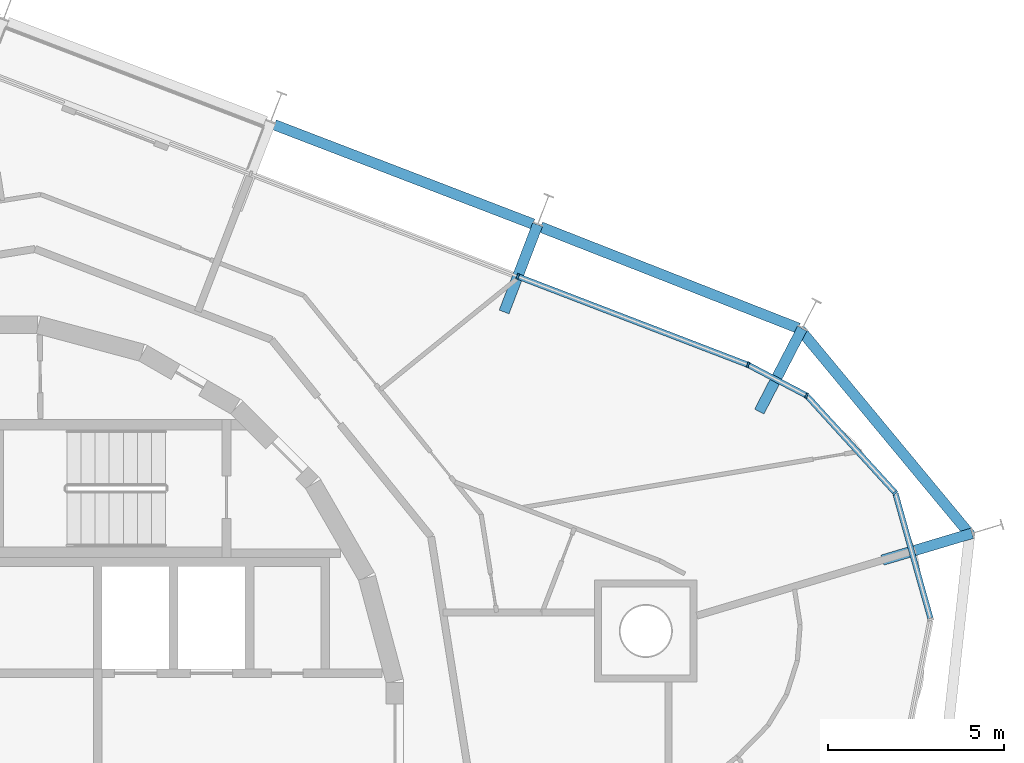
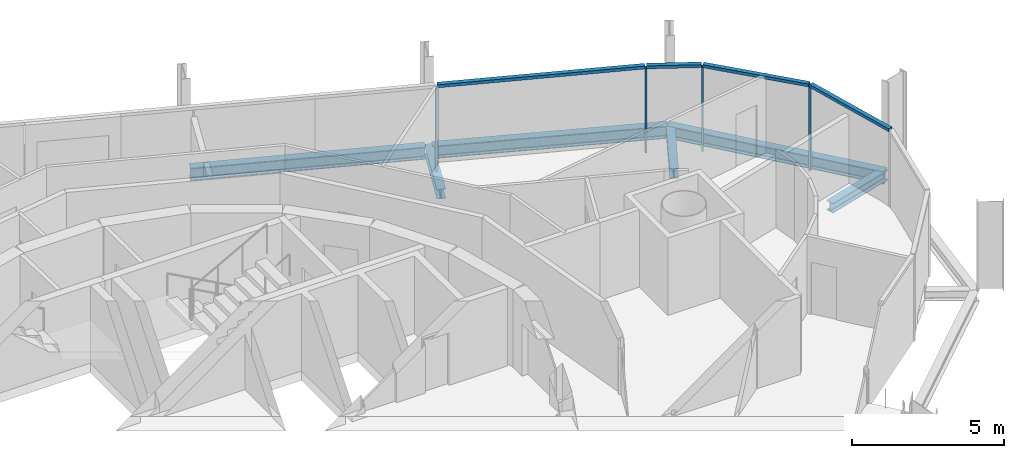
# One storey, part 9 of 17: 8 members, 6 beams, 2 elements without a shape of their own.
"""IFC4 building model written with IfcOpenShell, lengths in metres."""

from ifc_helpers import new_model, si_unit, direction, frame, origin, origin_2d, place, context, subcontext, project, spatial, rectangle, i_section, extrude, material, layer, layer_set, material_profile, profile_set, type_object, element, aggregate, save


model = new_model("IFC4")

# Units and contexts
model_context = context("Model", 3, precision=1e-05, world=origin(), true_north=direction((0.0, 1.0)))
body_context = subcontext(model_context, "Body", "Model", "MODEL_VIEW")
ifc_project = project(units=[si_unit("LENGTHUNIT", "METRE"), si_unit("AREAUNIT", "SQUARE_METRE"), si_unit("VOLUMEUNIT", "CUBIC_METRE"), si_unit("PLANEANGLEUNIT", "RADIAN"), si_unit("MASSUNIT", "GRAM", prefix="KILO")], contexts=[model_context])

# Site, building, storey
site_placement = place(None, origin())
site = spatial("IfcSite", under=ifc_project, at=site_placement, CompositionType="ELEMENT")
building_placement = place(site_placement, origin())
building = spatial("IfcBuilding", under=site, at=building_placement, Name="Spindle Arch Residences", CompositionType="ELEMENT")
storey_placement = place(building_placement, frame((0.0, 0.0, 270.39990234375)))
storey = spatial("IfcBuildingStorey", under=building, at=storey_placement, Name="L69", CompositionType="ELEMENT", Elevation=270.39990234375)

# Curtain wall, members
ifc_material_1 = material(Name="Aluminium bronze unitised frame with tinted glass", Category="aluminium")
ifc_layer_1 = layer(ifc_material_1, 0.159912109375)
ifc_layer_set_1 = layer_set([ifc_layer_1], Name="CW-D corner wall on the fillet arcs")
curtain_wall_type_1 = type_object("IfcCurtainWallType", Name="CW-D corner wall on the fillet arcs", PredefinedType="NOTDEFINED", material=ifc_layer_set_1)
curtain_wall_1_placement = place(storey_placement, origin())
curtain_wall_1 = element("IfcCurtainWall", 1, at=curtain_wall_1_placement, inside=storey, type_object=curtain_wall_type_1, Name="CW-D L69 run 1", PredefinedType="NOTDEFINED")
ifc_material_2 = material(Name="Aluminium bronze anodised mullion", Category="aluminium")
ifc_material_profile_1 = material_profile(ifc_material_2, rectangle(XDim=0.159912109375, YDim=0.06005859375, at=origin_2d()), Name="MU 60x160")
ifc_profile_set_1 = profile_set([ifc_material_profile_1], Name="Aluminium bronze anodised mullion")
member_type_1 = type_object("IfcMemberType", Name="Bronze mullion 60x160", PredefinedType="MULLION", material=ifc_profile_set_1)
member_1_placement = place(storey_placement, frame((25.826171875, 6.888427734375, -0.3798828125), z_axis=(0.0, 0.0, 1.0), x_axis=(-0.73923942464, -0.673442702134, 0.0)))
member_1 = element("IfcMember", 2, at=member_1_placement, type_object=member_type_1, Name="CW-D mullion 04", PredefinedType="MULLION", context=body_context, shape_type="SweptSolid", body=[
    extrude(rectangle(XDim=0.159912109375, YDim=0.06005859375, at=origin_2d()), origin(), (0.0, 0.0, 1.0), 3.3798828125),
])
member_2_placement = place(storey_placement, frame((23.316650390625, 9.643310546875, -0.3798828125), z_axis=(0.0, 0.0, 1.0), x_axis=(-0.464326860783, -0.885663912754, 0.0)))
member_2 = element("IfcMember", 3, at=member_2_placement, type_object=member_type_1, Name="CW-D mullion 05", PredefinedType="MULLION", context=body_context, shape_type="SweptSolid", body=[
    extrude(rectangle(XDim=0.159912109375, YDim=0.06005859375, at=origin_2d()), origin(), (0.0, 0.0, 1.0), 3.3798828125),
])
member_3_placement = place(storey_placement, frame((21.655029296875, 10.514404296875, -0.3798828125), z_axis=(0.0, 0.0, 1.0), x_axis=(-0.358367949545, -0.933580426497, 0.0)))
member_3 = element("IfcMember", 4, at=member_3_placement, type_object=member_type_1, Name="CW-D mullion 06", PredefinedType="MULLION", context=body_context, shape_type="SweptSolid", body=[
    extrude(rectangle(XDim=0.159912109375, YDim=0.06005859375, at=origin_2d()), origin(), (0.0, 0.0, 1.0), 3.3798828125),
])

# Curtain wall, member
ifc_material_3 = material(Name="Aluminium bronze unitised frame with tinted glass", Category="aluminium")
ifc_layer_2 = layer(ifc_material_3, 0.159912109375)
ifc_layer_set_2 = layer_set([ifc_layer_2], Name="CW-C typical residential unitised wall")
curtain_wall_type_2 = type_object("IfcCurtainWallType", Name="CW-C typical residential unitised wall", PredefinedType="NOTDEFINED", material=ifc_layer_set_2)
curtain_wall_2_placement = place(storey_placement, origin())
curtain_wall_2 = element("IfcCurtainWall", 5, at=curtain_wall_2_placement, inside=storey, type_object=curtain_wall_type_2, Name="CW-C L69 run 2", PredefinedType="NOTDEFINED")
member_4_placement = place(storey_placement, frame((15.12939453125, 13.01953125, -0.3798828125), z_axis=(0.0, 0.0, 1.0), x_axis=(-0.358367949545, -0.933580426497, 0.0)))
member_4 = element("IfcMember", 6, at=member_4_placement, type_object=member_type_1, Name="CW-C mullion 05", PredefinedType="MULLION", context=body_context, shape_type="SweptSolid", body=[
    extrude(rectangle(XDim=0.159912109375, YDim=0.06005859375, at=origin_2d()), origin(), (0.0, 0.0, 1.0), 3.3798828125),
])
aggregate(curtain_wall_2, [member_4])

# Member
ifc_material_4 = material(Name="Aluminium bronze anodised transom", Category="aluminium")
ifc_material_profile_2 = material_profile(ifc_material_4, rectangle(XDim=0.159912109375, YDim=0.1201171875, at=origin_2d()), Name="TR 120x160")
ifc_profile_set_2 = profile_set([ifc_material_profile_2], Name="Aluminium bronze anodised transom")
member_type_2 = type_object("IfcMemberType", Name="Bronze transom 120x160", PredefinedType="USERDEFINED", material=ifc_profile_set_2)
member_5_placement = place(storey_placement, frame((26.824462890625, 3.3291015625, 3.06005859375), z_axis=(-0.26999542292, 0.962861605633, 0.0), x_axis=(-0.962861605633, -0.26999542292, 0.0)))
member_5 = element("IfcMember", 7, at=member_5_placement, type_object=member_type_2, Name="CW-D transom 03", ObjectType="TRANSOM", PredefinedType="USERDEFINED", context=body_context, shape_type="SweptSolid", body=[
    extrude(rectangle(XDim=0.159912109375, YDim=0.1201171875, at=origin_2d()), origin(), (0.0, 0.0, 1.0), 3.666748046875),
])

member_6_placement = place(storey_placement, frame((25.80615234375, 6.91064453125, 3.06005859375), z_axis=(-0.673451190177, 0.739231691995, 0.0), x_axis=(-0.739231691995, -0.673451190177, 0.0)))
member_6 = element("IfcMember", 8, at=member_6_placement, type_object=member_type_2, Name="CW-D transom 04", ObjectType="TRANSOM", PredefinedType="USERDEFINED", context=body_context, shape_type="SweptSolid", body=[
    extrude(rectangle(XDim=0.159912109375, YDim=0.1201171875, at=origin_2d()), origin(), (0.0, 0.0, 1.0), 3.6669921875),
])

member_7_placement = place(storey_placement, frame((23.2900390625, 9.6572265625, 3.06005859375), z_axis=(-0.885657808089, 0.464338504726, 0.0), x_axis=(-0.464338504726, -0.885657808089, 0.0)))
member_7 = element("IfcMember", 9, at=member_7_placement, type_object=member_type_2, Name="CW-D transom 05", ObjectType="TRANSOM", PredefinedType="USERDEFINED", context=body_context, shape_type="SweptSolid", body=[
    extrude(rectangle(XDim=0.159912109375, YDim=0.1201171875, at=origin_2d()), origin(), (0.0, 0.0, 1.0), 1.816162109375),
])

member_8_placement = place(storey_placement, frame((21.626953125, 10.525390625, 3.06005859375), z_axis=(-0.933580580487, 0.358367548387, 0.0), x_axis=(-0.358367548387, -0.933580580487, 0.0)))
member_8 = element("IfcMember", 10, at=member_8_placement, type_object=member_type_2, Name="CW-D transom 06", ObjectType="TRANSOM", PredefinedType="USERDEFINED", context=body_context, shape_type="SweptSolid", body=[
    extrude(rectangle(XDim=0.159912109375, YDim=0.1201171875, at=origin_2d()), origin(), (0.0, 0.0, 1.0), 6.9296875),
])

aggregate(curtain_wall_1, [member_5, member_1, member_6, member_2, member_7, member_3, member_8])

# Beams
ifc_material_5 = material(Name="Steel S460ML, intumescent coating R 120", Category="steel")
ifc_material_profile_3 = material_profile(ifc_material_5, i_section(OverallWidth=0.300048828125, OverallDepth=0.5, WebThickness=0.014404296875, FlangeThickness=0.028076171875, FilletRadius=0.027099609375, at=origin_2d()), Name="HEB 500")
ifc_profile_set_3 = profile_set([ifc_material_profile_3], Name="Steel S460ML, intumescent coating R 120")
beam_type_1 = type_object("IfcBeamType", Name="Exoskeleton edge beam HEB 500", PredefinedType="BEAM", material=ifc_profile_set_3)
beam_1_placement = place(storey_placement, frame((27.982666015625, 5.661376953125, -0.6298828125), z_axis=(-0.638234616569, 0.769841915079, 0.0), x_axis=(-0.769841915079, -0.638234616569, 0.0)))
element("IfcBeam", 11, at=beam_1_placement, inside=storey, type_object=beam_type_1, Name="Exoskeleton edge beam 4", PredefinedType="BEAM", context=body_context, shape_type="SweptSolid", body=[
    extrude(i_section(OverallWidth=0.300048828125, OverallDepth=0.5, WebThickness=0.014404296875, FlangeThickness=0.028076171875, FilletRadius=0.027099609375, at=origin_2d()), origin(), (0.0, 0.0, 1.0), 7.6318359375),
])
beam_2_placement = place(storey_placement, frame((23.080810546875, 11.552490234375, -0.6298828125), z_axis=(-0.930820691929, 0.365476181818, 0.0), x_axis=(-0.365476181818, -0.930820691929, 0.0)))
element("IfcBeam", 12, at=beam_2_placement, inside=storey, type_object=beam_type_1, Name="Exoskeleton edge beam 5", PredefinedType="BEAM", context=body_context, shape_type="SweptSolid", body=[
    extrude(i_section(OverallWidth=0.300048828125, OverallDepth=0.5, WebThickness=0.014404296875, FlangeThickness=0.028076171875, FilletRadius=0.027099609375, at=origin_2d()), origin(), (0.0, 0.0, 1.0), 7.845703125),
])
beam_3_placement = place(storey_placement, frame((15.56005859375, 14.50390625, -0.6298828125), z_axis=(-0.933584338194, 0.358357759061, 0.0), x_axis=(-0.358357759061, -0.933584338194, 0.0)))
element("IfcBeam", 13, at=beam_3_placement, inside=storey, type_object=beam_type_1, Name="Exoskeleton edge beam 6", PredefinedType="BEAM", context=body_context, shape_type="SweptSolid", body=[
    extrude(i_section(OverallWidth=0.300048828125, OverallDepth=0.5, WebThickness=0.014404296875, FlangeThickness=0.028076171875, FilletRadius=0.027099609375, at=origin_2d()), origin(), (0.0, 0.0, 1.0), 7.84765625),
])
ifc_material_6 = material(Name="Steel S460ML, intumescent coating R 120", Category="steel")
ifc_material_profile_4 = material_profile(ifc_material_6, i_section(OverallWidth=0.300048828125, OverallDepth=0.389892578125, WebThickness=0.010986328125, FlangeThickness=0.01904296875, FilletRadius=0.027099609375, at=origin_2d()), Name="HEA 400")
ifc_profile_set_4 = profile_set([ifc_material_profile_4], Name="Steel S460ML, intumescent coating R 120")
beam_type_2 = type_object("IfcBeamType", Name="Floor outrigger HEA 400", PredefinedType="BEAM", material=ifc_profile_set_4)
for number, where, z_axis, x_axis, name in (
    (14, (28.00390625, 5.738525390625, -0.574951171875), (-0.958013730909, -0.286722324542, 0.0), (0.286722324542, -0.958013730909, 0.0), "Floor outrigger 4"),
    (15, (23.19140625, 11.543212890625, -0.574951171875), (-0.459260001196, -0.888301891983, 0.0), (0.888301891983, -0.459260001196, 0.0), "Floor outrigger 5"),
    (16, (15.692138671875, 14.485107421875, -0.574951171875), (-0.358392499624, -0.933571002234, 0.0), (0.933571002234, -0.358392499624, 0.0), "Floor outrigger 6"),
):
    element("IfcBeam", number, at=place(storey_placement, frame(where, z_axis=z_axis, x_axis=x_axis)), inside=storey, type_object=beam_type_2, Name=name, PredefinedType="BEAM", context=body_context, shape_type="SweptSolid", body=[
        extrude(i_section(OverallWidth=0.300048828125, OverallDepth=0.389892578125, WebThickness=0.010986328125, FlangeThickness=0.01904296875, FilletRadius=0.027099609375, at=origin_2d()), origin(), (0.0, 0.0, 1.0), 2.64990234375),
    ])

save(model, "model.ifc")
